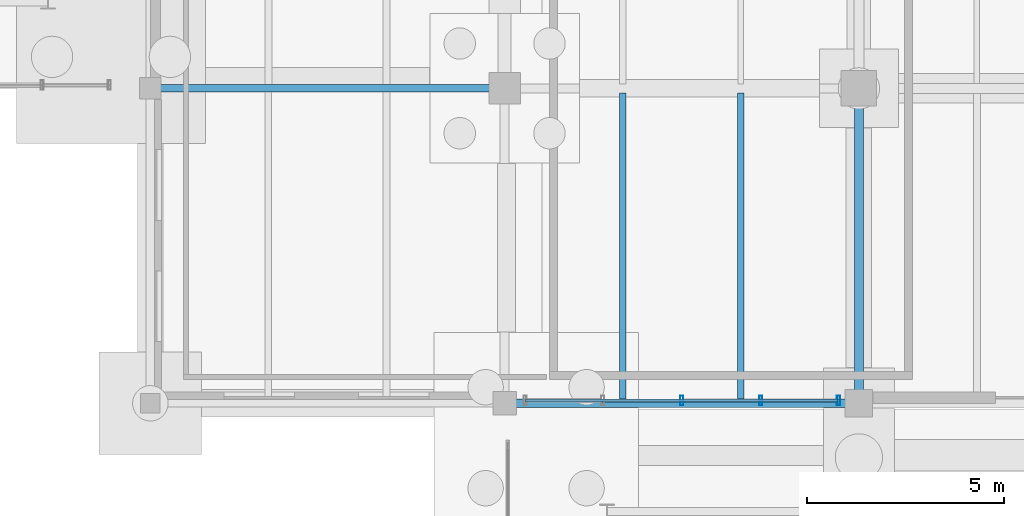
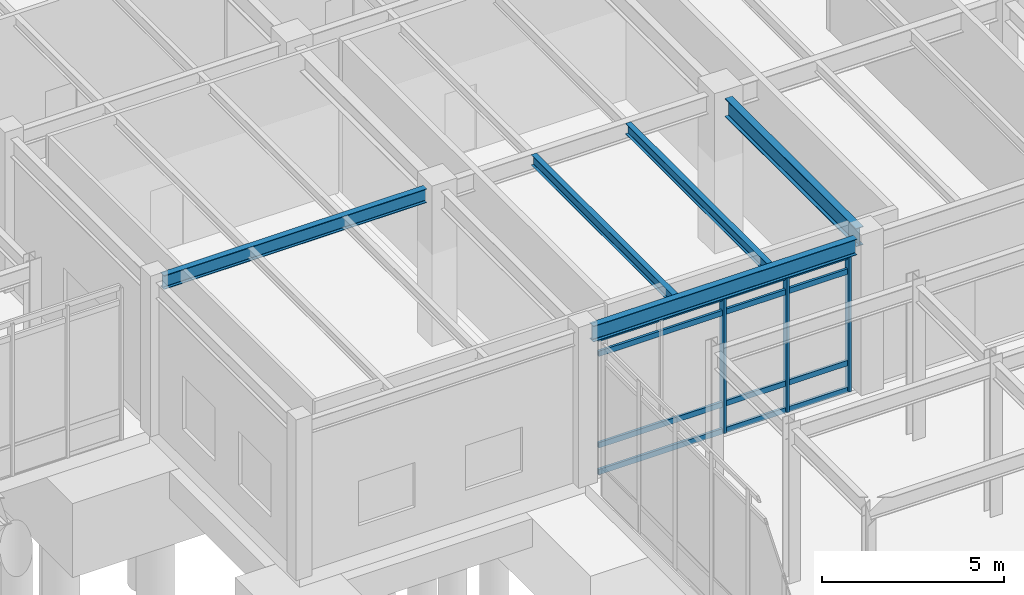
# One storey, part 97 of 203: 7 members, 5 beams, 1 element without a shape of its own.
"""IFC4 building model written with IfcOpenShell, lengths in metres."""

from ifc_helpers import new_model, si_unit, direction, frame, origin, origin_2d, place, context, subcontext, project, spatial, hollow_rectangle, i_section, extrude, material, material_profile, profile_set, type_object, element, aggregate, save


model = new_model("IFC4")

# Units and contexts
model_context = context("Model", 3, precision=1e-05, world=origin(), true_north=direction((0.0, 1.0)))
body_context = subcontext(model_context, "Body", "Model", "MODEL_VIEW")
ifc_project = project(units=[si_unit("LENGTHUNIT", "METRE"), si_unit("AREAUNIT", "SQUARE_METRE"), si_unit("VOLUMEUNIT", "CUBIC_METRE"), si_unit("PLANEANGLEUNIT", "RADIAN"), si_unit("MASSUNIT", "GRAM", prefix="KILO"), si_unit("THERMODYNAMICTEMPERATUREUNIT", "KELVIN"), si_unit("POWERUNIT", "WATT")], contexts=[model_context])

# Site, building, storey
site_placement = place(None, origin())
site = spatial("IfcSite", under=ifc_project, at=site_placement, CompositionType="ELEMENT")
building_placement = place(site_placement, origin())
building = spatial("IfcBuilding", under=site, at=building_placement, Name="Tepalcoro Natatorium and Aquatics Centre", CompositionType="ELEMENT")
storey_placement = place(building_placement, origin())
storey = spatial("IfcBuildingStorey", under=building, at=storey_placement, Name="L00", CompositionType="ELEMENT", Elevation=0.0)

# Beams
ifc_material_1 = material(Name="Steel ASTM A992 Grade 50 (Fy 345 MPa)", Category="steel")
ifc_material_profile_1 = material_profile(ifc_material_1, i_section(OverallWidth=0.193115234375, OverallDepth=0.467041015625, WebThickness=0.010986328125, FlangeThickness=0.01904296875, FilletRadius=0.013916015625, at=origin_2d()), Name="W18X65")
ifc_profile_set_1 = profile_set([ifc_material_profile_1], Name="Steel ASTM A992 Grade 50 (Fy 345 MPa)")
beam_type_1 = type_object("IfcBeamType", Name="BM_W18x65", PredefinedType="BEAM", material=ifc_profile_set_1)
beam_1_placement = place(storey_placement, frame((98.260009765625, 94.0, 4.8916015625), z_axis=(1.0, 0.0, 0.0), x_axis=(0.0, 1.0, 0.0)))
element("IfcBeam", 1, at=beam_1_placement, inside=storey, type_object=beam_type_1, Name="V5 L00 Grid Girder X", PredefinedType="BEAM", context=body_context, shape_type="SweptSolid", body=[
    extrude(i_section(OverallWidth=0.193115234375, OverallDepth=0.467041015625, WebThickness=0.010986328125, FlangeThickness=0.01904296875, FilletRadius=0.013916015625, at=origin_2d()), origin(), (0.0, 0.0, 1.0), 8.35498046875),
])
ifc_material_profile_2 = material_profile(ifc_material_1, i_section(OverallWidth=0.22998046875, OverallDepth=0.616943359375, WebThickness=0.012939453125, FlangeThickness=0.02197265625, FilletRadius=0.013916015625, at=origin_2d()), Name="W24X94")
ifc_profile_set_2 = profile_set([ifc_material_profile_2], Name="Steel ASTM A992 Grade 50 (Fy 345 MPa)")
beam_type_2 = type_object("IfcBeamType", Name="BM_W24x94", PredefinedType="BEAM", material=ifc_profile_set_2)
beam_2_placement = place(storey_placement, frame((116.0, 86.3349609375, 4.81640625), z_axis=(0.0, 1.0, 0.0), x_axis=(-1.0, 0.0, 0.0)))
element("IfcBeam", 2, at=beam_2_placement, inside=storey, type_object=beam_type_2, Name="V5 L00 Grid Girder Y", PredefinedType="BEAM", context=body_context, shape_type="SweptSolid", body=[
    extrude(i_section(OverallWidth=0.22998046875, OverallDepth=0.616943359375, WebThickness=0.012939453125, FlangeThickness=0.02197265625, FilletRadius=0.013916015625, at=origin_2d()), origin(), (0.0, 0.0, 1.0), 7.22998046875),
])

# Curtain wall, members
ifc_material_2 = material(Name="Bronze-Anodised Extruded Aluminium Alloy EN AW-6063 T6", Category="aluminium")
curtain_wall_type = type_object("IfcCurtainWallType", Name="CW_V3_FOYER", PredefinedType="USERDEFINED", material=ifc_material_2)
curtain_wall_placement = place(storey_placement, origin())
curtain_wall = element("IfcCurtainWall", 3, at=curtain_wall_placement, inside=storey, type_object=curtain_wall_type, Name="V5 L00 S Unitised Curtain Wall Bay 2", ObjectType="UNITISED STOREFRONT", PredefinedType="USERDEFINED")
ifc_material_profile_3 = material_profile(ifc_material_2, hollow_rectangle(XDim=0.080078125, YDim=0.239990234375, WallThickness=0.0048828125, at=origin_2d()), Name="AL80X240X5")
ifc_profile_set_3 = profile_set([ifc_material_profile_3], Name="Bronze-Anodised Extruded Aluminium Alloy EN AW-6063 T6")
member_type_1 = type_object("IfcMemberType", Name="CW_MUL_80x240", PredefinedType="MULLION", material=ifc_profile_set_3)
member_1_placement = place(storey_placement, frame((111.5, 86.0712890625, 0.02001953125), z_axis=(0.0, 0.0, 1.0), x_axis=(1.0, 0.0, 0.0)))
member_1 = element("IfcMember", 4, at=member_1_placement, type_object=member_type_1, Name="CW_V3_FOYER Curtain Wall Mullion", PredefinedType="MULLION", context=body_context, shape_type="SweptSolid", body=[
    extrude(hollow_rectangle(XDim=0.080078125, YDim=0.239990234375, WallThickness=0.0048828125, at=origin_2d()), origin(), (0.0, 0.0, 1.0), 4.533935546875),
])
member_2_placement = place(storey_placement, frame((113.510009765625, 86.0712890625, 0.02001953125), z_axis=(0.0, 0.0, 1.0), x_axis=(1.0, 0.0, 0.0)))
member_2 = element("IfcMember", 5, at=member_2_placement, type_object=member_type_1, Name="CW_V3_FOYER Curtain Wall Mullion", PredefinedType="MULLION", context=body_context, shape_type="SweptSolid", body=[
    extrude(hollow_rectangle(XDim=0.080078125, YDim=0.239990234375, WallThickness=0.0048828125, at=origin_2d()), origin(), (0.0, 0.0, 1.0), 4.533935546875),
])
member_3_placement = place(storey_placement, frame((115.47998046875, 86.0712890625, 0.02001953125), z_axis=(0.0, 0.0, 1.0), x_axis=(1.0, 0.0, 0.0)))
member_3 = element("IfcMember", 6, at=member_3_placement, type_object=member_type_1, Name="CW_V3_FOYER Curtain Wall Mullion", PredefinedType="MULLION", context=body_context, shape_type="SweptSolid", body=[
    extrude(hollow_rectangle(XDim=0.080078125, YDim=0.239990234375, WallThickness=0.0048828125, at=origin_2d()), origin(), (0.0, 0.0, 1.0), 4.533935546875),
])
ifc_material_profile_4 = material_profile(ifc_material_2, hollow_rectangle(XDim=0.080078125, YDim=0.179931640625, WallThickness=0.0048828125, at=origin_2d()), Name="AL80X180X5")
ifc_profile_set_4 = profile_set([ifc_material_profile_4], Name="Bronze-Anodised Extruded Aluminium Alloy EN AW-6063 T6")
member_type_2 = type_object("IfcMemberType", Name="CW_TRN_80x180", PredefinedType="USERDEFINED", material=ifc_profile_set_4)
member_4_placement = place(storey_placement, frame((107.530029296875, 86.0712890625, 0.050048828125), z_axis=(1.0, 0.0, 0.0), x_axis=(0.0, 1.0, 0.0)))
member_4 = element("IfcMember", 7, at=member_4_placement, type_object=member_type_2, Name="CW_V3_FOYER Curtain Wall Transom", ObjectType="TRANSOM", PredefinedType="USERDEFINED", context=body_context, shape_type="SweptSolid", body=[
    extrude(hollow_rectangle(XDim=0.080078125, YDim=0.179931640625, WallThickness=0.0048828125, at=origin_2d()), origin(), (0.0, 0.0, 1.0), 7.93994140625),
])
member_5_placement = place(storey_placement, frame((107.530029296875, 86.0712890625, 0.949951171875), z_axis=(1.0, 0.0, 0.0), x_axis=(0.0, 1.0, 0.0)))
member_5 = element("IfcMember", 8, at=member_5_placement, type_object=member_type_2, Name="CW_V3_FOYER Curtain Wall Transom", ObjectType="TRANSOM", PredefinedType="USERDEFINED", context=body_context, shape_type="SweptSolid", body=[
    extrude(hollow_rectangle(XDim=0.080078125, YDim=0.179931640625, WallThickness=0.0048828125, at=origin_2d()), origin(), (0.0, 0.0, 1.0), 7.93994140625),
])
member_6_placement = place(storey_placement, frame((107.530029296875, 86.0712890625, 4.02392578125), z_axis=(1.0, 0.0, 0.0), x_axis=(0.0, 1.0, 0.0)))
member_6 = element("IfcMember", 9, at=member_6_placement, type_object=member_type_2, Name="CW_V3_FOYER Curtain Wall Transom", ObjectType="TRANSOM", PredefinedType="USERDEFINED", context=body_context, shape_type="SweptSolid", body=[
    extrude(hollow_rectangle(XDim=0.080078125, YDim=0.179931640625, WallThickness=0.0048828125, at=origin_2d()), origin(), (0.0, 0.0, 1.0), 7.93994140625),
])
member_7_placement = place(storey_placement, frame((107.530029296875, 86.0712890625, 4.52392578125), z_axis=(1.0, 0.0, 0.0), x_axis=(0.0, 1.0, 0.0)))
member_7 = element("IfcMember", 10, at=member_7_placement, type_object=member_type_2, Name="CW_V3_FOYER Curtain Wall Transom", ObjectType="TRANSOM", PredefinedType="USERDEFINED", context=body_context, shape_type="SweptSolid", body=[
    extrude(hollow_rectangle(XDim=0.080078125, YDim=0.179931640625, WallThickness=0.0048828125, at=origin_2d()), origin(), (0.0, 0.0, 1.0), 7.93994140625),
])
aggregate(curtain_wall, [member_1, member_2, member_3, member_4, member_5, member_6, member_7])

# Beams
ifc_material_profile_5 = material_profile(ifc_material_1, i_section(OverallWidth=0.1708984375, OverallDepth=0.35107421875, WebThickness=0.007080078125, FlangeThickness=0.010009765625, FilletRadius=0.013916015625, at=origin_2d()), Name="W14X30")
ifc_profile_set_5 = profile_set([ifc_material_profile_5], Name="Steel ASTM A992 Grade 50 (Fy 345 MPa)")
beam_type_3 = type_object("IfcBeamType", Name="JS_W14x30", PredefinedType="JOIST", material=ifc_profile_set_5)
beam_3_placement = place(storey_placement, frame((110.0, 86.10498046875, 4.949462890625), z_axis=(0.0, 1.0, 0.0), x_axis=(-1.0, 0.0, 0.0)))
element("IfcBeam", 11, at=beam_3_placement, inside=storey, type_object=beam_type_3, Name="V5 L00 Floor Joist", PredefinedType="JOIST", context=body_context, shape_type="SweptSolid", body=[
    extrude(i_section(OverallWidth=0.1708984375, OverallDepth=0.35107421875, WebThickness=0.007080078125, FlangeThickness=0.010009765625, FilletRadius=0.013916015625, at=origin_2d()), origin(), (0.0, 0.0, 1.0), 7.781005859375),
])
ifc_material_profile_6 = material_profile(ifc_material_1, i_section(OverallWidth=0.172119140625, OverallDepth=0.35791015625, WebThickness=0.008056640625, FlangeThickness=0.012939453125, FilletRadius=0.013916015625, at=origin_2d()), Name="W14X38")
ifc_profile_set_6 = profile_set([ifc_material_profile_6], Name="Steel ASTM A992 Grade 50 (Fy 345 MPa)")
beam_type_4 = type_object("IfcBeamType", Name="JS_W14x38", PredefinedType="JOIST", material=ifc_profile_set_6)
beam_4_placement = place(storey_placement, frame((113.0, 86.10498046875, 4.946044921875), z_axis=(0.0, 1.0, 0.0), x_axis=(-1.0, 0.0, 0.0)))
element("IfcBeam", 12, at=beam_4_placement, inside=storey, type_object=beam_type_4, Name="V5 L00 Floor Joist", PredefinedType="JOIST", context=body_context, shape_type="SweptSolid", body=[
    extrude(i_section(OverallWidth=0.172119140625, OverallDepth=0.35791015625, WebThickness=0.008056640625, FlangeThickness=0.012939453125, FilletRadius=0.013916015625, at=origin_2d()), origin(), (0.0, 0.0, 1.0), 7.781005859375),
])
ifc_material_profile_7 = material_profile(ifc_material_1, i_section(OverallWidth=0.2099609375, OverallDepth=0.535888671875, WebThickness=0.010986328125, FlangeThickness=0.01708984375, FilletRadius=0.013916015625, at=origin_2d()), Name="W21X68")
ifc_profile_set_7 = profile_set([ifc_material_profile_7], Name="Steel ASTM A992 Grade 50 (Fy 345 MPa)")
beam_type_5 = type_object("IfcBeamType", Name="SP_W21x68", PredefinedType="SPANDREL", material=ifc_profile_set_7)
beam_5_placement = place(storey_placement, frame((107.284912109375, 86.0, 4.85693359375), z_axis=(1.0, 0.0, 0.0), x_axis=(0.0, 1.0, 0.0)))
element("IfcBeam", 13, at=beam_5_placement, inside=storey, type_object=beam_type_5, Name="V5 L00 Grid Girder X", PredefinedType="SPANDREL", context=body_context, shape_type="SweptSolid", body=[
    extrude(i_section(OverallWidth=0.2099609375, OverallDepth=0.535888671875, WebThickness=0.010986328125, FlangeThickness=0.01708984375, FilletRadius=0.013916015625, at=origin_2d()), origin(), (0.0, 0.0, 1.0), 8.380126953125),
])

save(model, "model.ifc")
